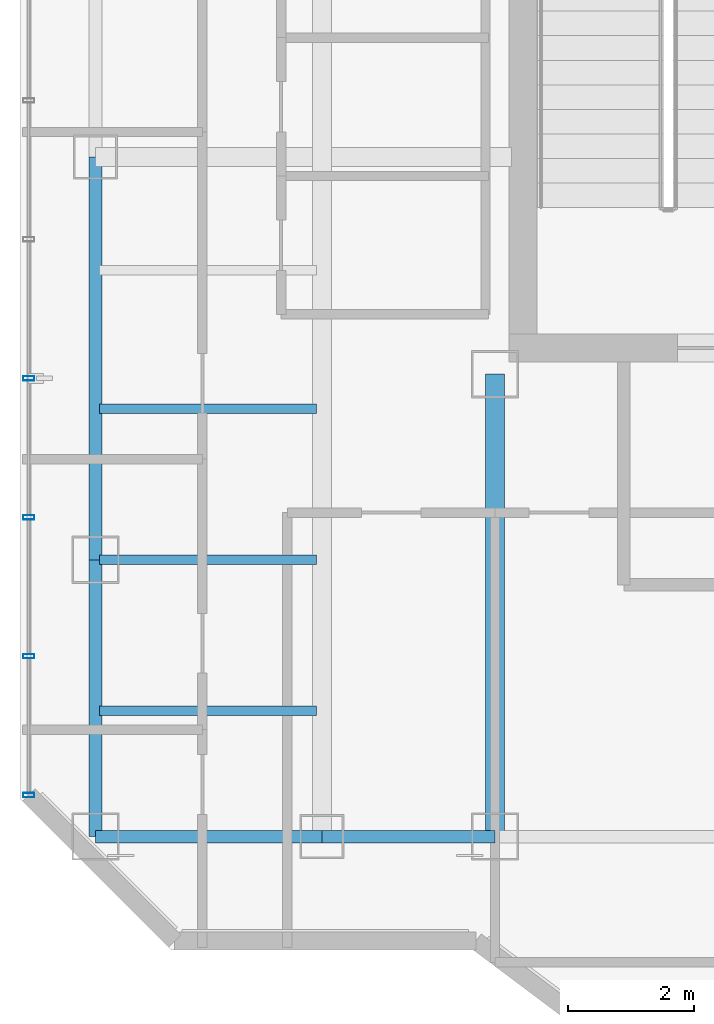
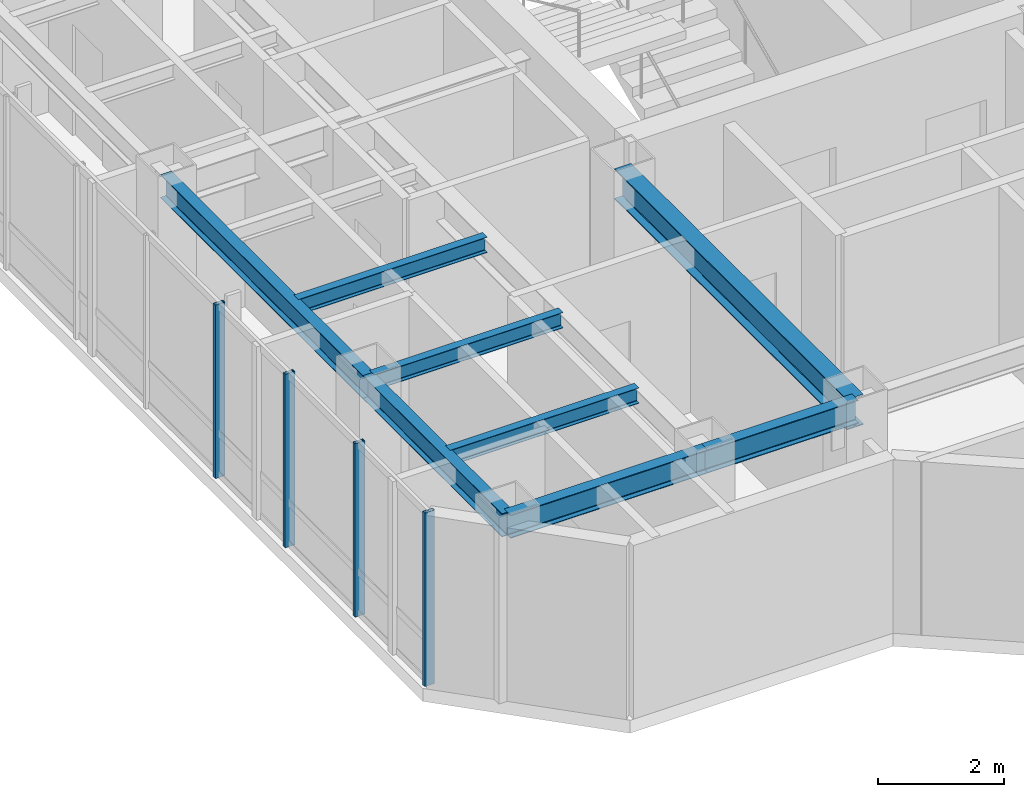
# One storey, part 4 of 26: 8 beams, 4 members, 1 element without a shape of its own.
"""IFC4 building model written with IfcOpenShell, lengths in metres."""

from ifc_helpers import new_model, si_unit, direction, frame, origin, origin_2d, place, context, subcontext, project, spatial, hollow_rectangle, i_section, extrude, material, layer, layer_set, material_profile, profile_set, type_object, element, aggregate, save


model = new_model("IFC4")

# Units and contexts
model_context = context("Model", 3, precision=1e-05, world=origin(), true_north=direction((0.0, 1.0)))
body_context = subcontext(model_context, "Body", "Model", "MODEL_VIEW")
ifc_project = project(units=[si_unit("LENGTHUNIT", "METRE"), si_unit("AREAUNIT", "SQUARE_METRE"), si_unit("VOLUMEUNIT", "CUBIC_METRE"), si_unit("PLANEANGLEUNIT", "RADIAN"), si_unit("MASSUNIT", "GRAM", prefix="KILO")], contexts=[model_context])

# Site, building, storey
site_placement = place(None, origin())
site = spatial("IfcSite", under=ifc_project, at=site_placement, CompositionType="ELEMENT")
building_placement = place(site_placement, origin())
building = spatial("IfcBuilding", under=site, at=building_placement, Name="Hatsunagi Terrace Concourse", CompositionType="ELEMENT")
storey_placement = place(building_placement, frame((0.0, 0.0, 198.75)))
storey = spatial("IfcBuildingStorey", under=building, at=storey_placement, Name="L52", CompositionType="ELEMENT", Elevation=198.75)

# Curtain wall, members
ifc_material_1 = material(Name="Anodised Aluminium Alloy 6063-T5", Category="aluminium")
ifc_layer = layer(ifc_material_1, 0.199951171875)
ifc_layer_set = layer_set([ifc_layer], Name="OfficeZone2_CW04")
curtain_wall_type = type_object("IfcCurtainWallType", Name="OfficeZone2_CW04", PredefinedType="NOTDEFINED", material=ifc_layer_set)
curtain_wall_placement = place(storey_placement, origin())
curtain_wall = element("IfcCurtainWall", 1, at=curtain_wall_placement, inside=storey, type_object=curtain_wall_type, Name="Unitised Curtain Wall CW-04 CW-L52-08", PredefinedType="NOTDEFINED")
ifc_material_2 = material(Name="Anodised Aluminium Alloy 6063-T5", Category="aluminium")
ifc_material_profile_1 = material_profile(ifc_material_2, hollow_rectangle(XDim=0.070068359375, YDim=0.179931640625, WallThickness=0.00390625, at=origin_2d()), Name="ALU-MUL-180x70x4")
ifc_profile_set_1 = profile_set([ifc_material_profile_1], Name="Anodised Aluminium Alloy 6063-T5")
member_type = type_object("IfcMemberType", Name="CurtainWallMullion_180x70", PredefinedType="MULLION", material=ifc_profile_set_1)
member_1_placement = place(storey_placement, frame((18.139892578125, 25.85791015625, 0.0), z_axis=(0.0, 0.0, 1.0), x_axis=(0.0, 1.0, 0.0)))
member_1 = element("IfcMember", 2, at=member_1_placement, type_object=member_type, Name="Curtain Wall Mullion MUL-02", PredefinedType="MULLION", context=body_context, shape_type="SweptSolid", body=[
    extrude(hollow_rectangle(XDim=0.070068359375, YDim=0.179931640625, WallThickness=0.00390625, at=origin_2d()), origin(), (0.0, 0.0, 1.0), 3.35009765625),
])
member_2_placement = place(storey_placement, frame((18.139892578125, 28.06591796875, 0.0), z_axis=(0.0, 0.0, 1.0), x_axis=(0.0, 1.0, 0.0)))
member_2 = element("IfcMember", 3, at=member_2_placement, type_object=member_type, Name="Curtain Wall Mullion MUL-02", PredefinedType="MULLION", context=body_context, shape_type="SweptSolid", body=[
    extrude(hollow_rectangle(XDim=0.070068359375, YDim=0.179931640625, WallThickness=0.00390625, at=origin_2d()), origin(), (0.0, 0.0, 1.0), 3.35009765625),
])
member_3_placement = place(storey_placement, frame((18.139892578125, 30.27490234375, 0.0), z_axis=(0.0, 0.0, 1.0), x_axis=(0.0, 1.0, 0.0)))
member_3 = element("IfcMember", 4, at=member_3_placement, type_object=member_type, Name="Curtain Wall Mullion MUL-02", PredefinedType="MULLION", context=body_context, shape_type="SweptSolid", body=[
    extrude(hollow_rectangle(XDim=0.070068359375, YDim=0.179931640625, WallThickness=0.00390625, at=origin_2d()), origin(), (0.0, 0.0, 1.0), 3.35009765625),
])
member_4_placement = place(storey_placement, frame((18.139892578125, 32.48291015625, 0.0), z_axis=(0.0, 0.0, 1.0), x_axis=(0.0, 1.0, 0.0)))
member_4 = element("IfcMember", 5, at=member_4_placement, type_object=member_type, Name="Curtain Wall Mullion MUL-02", PredefinedType="MULLION", context=body_context, shape_type="SweptSolid", body=[
    extrude(hollow_rectangle(XDim=0.070068359375, YDim=0.179931640625, WallThickness=0.00390625, at=origin_2d()), origin(), (0.0, 0.0, 1.0), 3.35009765625),
])
aggregate(curtain_wall, [member_1, member_2, member_3, member_4])

# Beams
ifc_material_3 = material(Name="Steel SN490B", Category="steel")
ifc_material_profile_2 = material_profile(ifc_material_3, i_section(OverallWidth=0.300048828125, OverallDepth=0.587890625, WebThickness=0.011962890625, FlangeThickness=0.02001953125, FilletRadius=0.01806640625, at=origin_2d()), Name="H-588x300x12x20")
ifc_profile_set_2 = profile_set([ifc_material_profile_2], Name="Steel SN490B")
beam_type_1 = type_object("IfcBeamType", Name="OfficeHighGirder_H_588x300", PredefinedType="BEAM", material=ifc_profile_set_2)
beam_1_placement = place(storey_placement, frame((25.550048828125, 25.199951171875, 3.055908203125), z_axis=(0.0, 1.0, 0.0), x_axis=(-1.0, 0.0, 0.0)))
element("IfcBeam", 6, at=beam_1_placement, inside=storey, type_object=beam_type_1, Name="Beam G-06 BM-L52-K1CA", PredefinedType="BEAM", context=body_context, shape_type="SweptSolid", body=[
    extrude(i_section(OverallWidth=0.300048828125, OverallDepth=0.587890625, WebThickness=0.011962890625, FlangeThickness=0.02001953125, FilletRadius=0.01806640625, at=origin_2d()), origin(), (0.0, 0.0, 1.0), 7.35009765625),
])
ifc_material_4 = material(Name="Steel SN490B", Category="steel")
ifc_material_profile_3 = material_profile(ifc_material_4, i_section(OverallWidth=0.14990234375, OverallDepth=0.300048828125, WebThickness=0.006591796875, FlangeThickness=0.009033203125, FilletRadius=0.010986328125, at=origin_2d()), Name="H-300x150x6.5x9")
ifc_profile_set_3 = profile_set([ifc_material_profile_3], Name="Steel SN490B")
beam_type_2 = type_object("IfcBeamType", Name="OfficeJoist_H_300x150", PredefinedType="JOIST", material=ifc_profile_set_3)
for number, where, z_axis, x_axis, name in (
    (7, (19.264892578125, 27.199951171875, 3.199951171875), (1.0, 0.0, 0.0), (0.0, 1.0, 0.0), "Beam J-03 J-L52-W-19-272"),
    (8, (19.264892578125, 29.60009765625, 3.199951171875), (1.0, 0.0, 0.0), (0.0, 1.0, 0.0), "Beam J-03 J-L52-W-19-296"),
    (9, (19.264892578125, 32.0, 3.199951171875), (1.0, 0.0, 0.0), (0.0, 1.0, 0.0), "Beam J-03 J-L52-W-19-320"),
):
    element("IfcBeam", number, at=place(storey_placement, frame(where, z_axis=z_axis, x_axis=x_axis)), inside=storey, type_object=beam_type_2, Name=name, PredefinedType="JOIST", context=body_context, shape_type="SweptSolid", body=[
        extrude(i_section(OverallWidth=0.14990234375, OverallDepth=0.300048828125, WebThickness=0.006591796875, FlangeThickness=0.009033203125, FilletRadius=0.010986328125, at=origin_2d()), origin(), (0.0, 0.0, 1.0), 3.4501953125),
    ])
ifc_material_5 = material(Name="Steel SN490B", Category="steel")
ifc_material_profile_4 = material_profile(ifc_material_5, i_section(OverallWidth=0.199951171875, OverallDepth=0.449951171875, WebThickness=0.009033203125, FlangeThickness=0.013916015625, FilletRadius=0.01611328125, at=origin_2d()), Name="H-450x200x9x14")
ifc_profile_set_4 = profile_set([ifc_material_profile_4], Name="Steel SN490B")
beam_type_3 = type_object("IfcBeamType", Name="PerimeterSpandrel_H_450x200", PredefinedType="SPANDREL", material=ifc_profile_set_4)
beam_2_placement = place(storey_placement, frame((19.199951171875, 25.199951171875, 3.125), z_axis=(1.0, 0.0, 0.0), x_axis=(0.0, 1.0, 0.0)))
element("IfcBeam", 10, at=beam_2_placement, inside=storey, type_object=beam_type_3, Name="Beam SP-02 BM-L52-WS-19", PredefinedType="SPANDREL", context=body_context, shape_type="SweptSolid", body=[
    extrude(i_section(OverallWidth=0.199951171875, OverallDepth=0.449951171875, WebThickness=0.009033203125, FlangeThickness=0.013916015625, FilletRadius=0.01611328125, at=origin_2d()), origin(), (0.0, 0.0, 1.0), 3.60009765625),
])
beam_3_placement = place(storey_placement, frame((22.800048828125, 25.199951171875, 3.125), z_axis=(1.0, 0.0, 0.0), x_axis=(0.0, 1.0, 0.0)))
element("IfcBeam", 11, at=beam_3_placement, inside=storey, type_object=beam_type_3, Name="Beam SP-02 BM-L52-WS-22", PredefinedType="SPANDREL", context=body_context, shape_type="SweptSolid", body=[
    extrude(i_section(OverallWidth=0.199951171875, OverallDepth=0.449951171875, WebThickness=0.009033203125, FlangeThickness=0.013916015625, FilletRadius=0.01611328125, at=origin_2d()), origin(), (0.0, 0.0, 1.0), 2.75),
])
beam_4_placement = place(storey_placement, frame((19.199951171875, 25.199951171875, 3.125), z_axis=(0.0, 1.0, 0.0), x_axis=(-1.0, 0.0, 0.0)))
element("IfcBeam", 12, at=beam_4_placement, inside=storey, type_object=beam_type_3, Name="Beam SP-02 BM-L52-NS-19-25", PredefinedType="SPANDREL", context=body_context, shape_type="SweptSolid", body=[
    extrude(i_section(OverallWidth=0.199951171875, OverallDepth=0.449951171875, WebThickness=0.009033203125, FlangeThickness=0.013916015625, FilletRadius=0.01611328125, at=origin_2d()), origin(), (0.0, 0.0, 1.0), 4.400146484375),
])
beam_5_placement = place(storey_placement, frame((19.199951171875, 29.60009765625, 3.125), z_axis=(0.0, 1.0, 0.0), x_axis=(-1.0, 0.0, 0.0)))
element("IfcBeam", 13, at=beam_5_placement, inside=storey, type_object=beam_type_3, Name="Beam SP-02 BM-L52-NS-19-29", PredefinedType="SPANDREL", context=body_context, shape_type="SweptSolid", body=[
    extrude(i_section(OverallWidth=0.199951171875, OverallDepth=0.449951171875, WebThickness=0.009033203125, FlangeThickness=0.013916015625, FilletRadius=0.01611328125, at=origin_2d()), origin(), (0.0, 0.0, 1.0), 6.39990234375),
])

save(model, "model.ifc")
